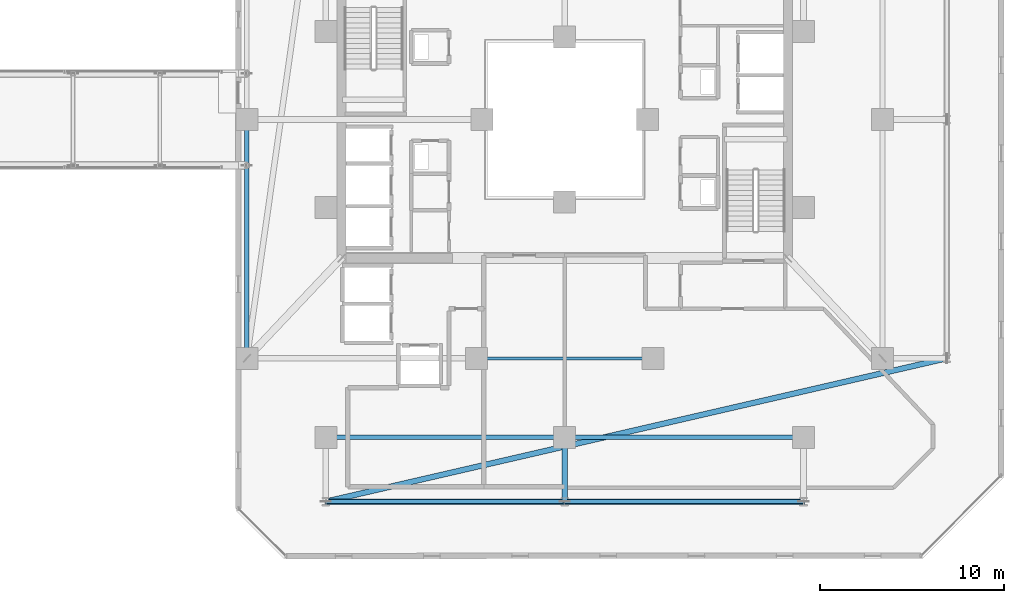
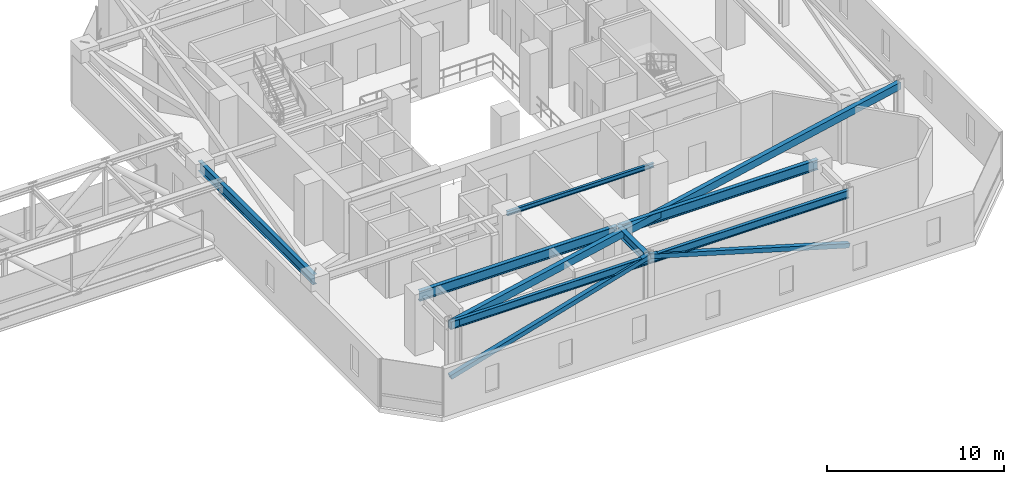
# One storey, part 18 of 45: 8 beams, 2 members.
"""IFC4 building model written with IfcOpenShell, lengths in metres."""

from ifc_helpers import new_model, si_unit, direction, frame, origin, origin_2d, place, context, subcontext, project, spatial, hollow_rectangle, i_section, extrude, material, material_profile, profile_set, type_object, element, save


model = new_model("IFC4")

# Units and contexts
model_context = context("Model", 3, precision=1e-05, world=origin(), true_north=direction((0.0, 1.0)))
body_context = subcontext(model_context, "Body", "Model", "MODEL_VIEW")
ifc_project = project(units=[si_unit("LENGTHUNIT", "METRE"), si_unit("AREAUNIT", "SQUARE_METRE"), si_unit("VOLUMEUNIT", "CUBIC_METRE"), si_unit("PLANEANGLEUNIT", "RADIAN"), si_unit("MASSUNIT", "GRAM", prefix="KILO")], contexts=[model_context])

# Site, building, storey
site_placement = place(None, origin())
site = spatial("IfcSite", under=ifc_project, at=site_placement, CompositionType="ELEMENT")
building_placement = place(site_placement, origin())
building = spatial("IfcBuilding", under=site, at=building_placement, Name="Thornwick Lancets Civic Towers", CompositionType="ELEMENT")
storey_placement = place(building_placement, frame((0.0, 0.0, 141.300048828125)))
storey = spatial("IfcBuildingStorey", under=building, at=storey_placement, Name="L37", CompositionType="ELEMENT", Elevation=141.300048828125)

# Beams
ifc_material_1 = material(Name="Steel S355JR", Category="steel")
ifc_material_profile_1 = material_profile(ifc_material_1, i_section(OverallWidth=0.2119140625, OverallDepth=0.54443359375, WebThickness=0.0126953125, FlangeThickness=0.021240234375, FilletRadius=0.0126953125, at=origin_2d()), Name="UKB 533x210x122")
ifc_profile_set_1 = profile_set([ifc_material_profile_1], Name="Steel S355JR")
beam_type_1 = type_object("IfcBeamType", Name="BM_EDGE_533_122", PredefinedType="SPANDREL", material=ifc_profile_set_1)
beam_1_placement = place(storey_placement, frame((101.5, 6.199951171875, 3.687744140625), z_axis=(-1.0, 0.0, 0.0), x_axis=(0.0, -1.0, 0.0)))
element("IfcBeam", 1, at=beam_1_placement, inside=storey, type_object=beam_type_1, Name="BM-EDGE-L37-B-S3-1", PredefinedType="SPANDREL", context=body_context, shape_type="SweptSolid", body=[
    extrude(i_section(OverallWidth=0.2119140625, OverallDepth=0.54443359375, WebThickness=0.0126953125, FlangeThickness=0.021240234375, FilletRadius=0.0126953125, at=origin_2d()), origin(), (0.0, 0.0, 1.0), 13.0),
])
beam_2_placement = place(storey_placement, frame((88.419921875, 6.199951171875, 3.687744140625), z_axis=(-1.0, 0.0, 0.0), x_axis=(0.0, -1.0, 0.0)))
element("IfcBeam", 2, at=beam_2_placement, inside=storey, type_object=beam_type_1, Name="BM-EDGE-L37-B-S3-2", PredefinedType="SPANDREL", context=body_context, shape_type="SweptSolid", body=[
    extrude(i_section(OverallWidth=0.2119140625, OverallDepth=0.54443359375, WebThickness=0.0126953125, FlangeThickness=0.021240234375, FilletRadius=0.0126953125, at=origin_2d()), origin(), (0.0, 0.0, 1.0), 12.919921875),
])
ifc_material_profile_2 = material_profile(ifc_material_1, i_section(OverallWidth=0.30712890625, OverallDepth=0.6201171875, WebThickness=0.01416015625, FlangeThickness=0.023681640625, FilletRadius=0.0166015625, at=origin_2d()), Name="UKB 610x305x179")
ifc_profile_set_2 = profile_set([ifc_material_profile_2], Name="Steel S355JR")
beam_type_2 = type_object("IfcBeamType", Name="BM_GIRD_610_179", PredefinedType="BEAM", material=ifc_profile_set_2)
beam_3_placement = place(storey_placement, frame((88.5, 9.699951171875, 3.64990234375), z_axis=(0.0, -1.0, 0.0), x_axis=(1.0, 0.0, 0.0)))
element("IfcBeam", 3, at=beam_3_placement, inside=storey, type_object=beam_type_2, Name="BM-RAD-L37-B11", PredefinedType="BEAM", context=body_context, shape_type="SweptSolid", body=[
    extrude(i_section(OverallWidth=0.30712890625, OverallDepth=0.6201171875, WebThickness=0.01416015625, FlangeThickness=0.023681640625, FilletRadius=0.0166015625, at=origin_2d()), origin(), (0.0, 0.0, 1.0), 3.5),
])
ifc_material_profile_3 = material_profile(ifc_material_1, i_section(OverallWidth=0.255859375, OverallDepth=0.69287109375, WebThickness=0.014404296875, FlangeThickness=0.023681640625, FilletRadius=0.01513671875, at=origin_2d()), Name="UKB 686x254x170")
ifc_profile_set_3 = profile_set([ifc_material_profile_3], Name="Steel S355JR")
beam_type_3 = type_object("IfcBeamType", Name="BM_GIRD_686_170", PredefinedType="BEAM", material=ifc_profile_set_3)
for number, where, z_axis, x_axis, name in (
    (4, (71.199951171875, 14.0, 3.613525390625), (0.0, 1.0, 0.0), (-1.0, 0.0, 0.0), "BM-SPINE-L37-B-6-7"),
    (5, (101.5, 9.699951171875, 3.613525390625), (-1.0, 0.0, 0.0), (0.0, -1.0, 0.0), "BM-SPINE-L37-B-9-10"),
):
    element("IfcBeam", number, at=place(storey_placement, frame(where, z_axis=z_axis, x_axis=x_axis)), inside=storey, type_object=beam_type_3, Name=name, PredefinedType="BEAM", context=body_context, shape_type="SweptSolid", body=[
        extrude(i_section(OverallWidth=0.255859375, OverallDepth=0.69287109375, WebThickness=0.014404296875, FlangeThickness=0.023681640625, FilletRadius=0.01513671875, at=origin_2d()), origin(), (0.0, 0.0, 1.0), 13.0),
    ])
beam_4_placement = place(storey_placement, frame((88.419921875, 9.699951171875, 3.613525390625), z_axis=(-1.0, 0.0, 0.0), x_axis=(0.0, -1.0, 0.0)))
element("IfcBeam", 6, at=beam_4_placement, inside=storey, type_object=beam_type_3, Name="BM-SPINE-L37-B-10-11", PredefinedType="BEAM", context=body_context, shape_type="SweptSolid", body=[
    extrude(i_section(OverallWidth=0.255859375, OverallDepth=0.69287109375, WebThickness=0.014404296875, FlangeThickness=0.023681640625, FilletRadius=0.01513671875, at=origin_2d()), origin(), (0.0, 0.0, 1.0), 12.919921875),
])
ifc_material_profile_4 = material_profile(ifc_material_1, i_section(OverallWidth=0.1669921875, OverallDepth=0.310302734375, WebThickness=0.0078125, FlangeThickness=0.013671875, FilletRadius=0.0087890625, at=origin_2d()), Name="UKB 305x165x54")
ifc_profile_set_4 = profile_set([ifc_material_profile_4], Name="Steel S355JR")
beam_type_4 = type_object("IfcBeamType", Name="BM_LINTEL_305_54", PredefinedType="LINTEL", material=ifc_profile_set_4)
beam_5_placement = place(storey_placement, frame((93.300048828125, 14.0, 3.8046875), z_axis=(-1.0, 0.0, 0.0), x_axis=(0.0, -1.0, 0.0)))
element("IfcBeam", 7, at=beam_5_placement, inside=storey, type_object=beam_type_4, Name="BM-INSP-L37-B-0-2", PredefinedType="LINTEL", context=body_context, shape_type="SweptSolid", body=[
    extrude(i_section(OverallWidth=0.1669921875, OverallDepth=0.310302734375, WebThickness=0.0078125, FlangeThickness=0.013671875, FilletRadius=0.0087890625, at=origin_2d()), origin(), (0.0, 0.0, 1.0), 9.60009765625),
])
ifc_material_2 = material(Name="Steel S460M", Category="steel")
ifc_material_profile_5 = material_profile(ifc_material_2, hollow_rectangle(XDim=0.300048828125, YDim=0.5, WallThickness=0.02001953125, at=origin_2d()), Name="RHS 500x300x20")
ifc_profile_set_5 = profile_set([ifc_material_profile_5], Name="Steel S460M")
beam_type_5 = type_object("IfcBeamType", Name="BM_RING_RHS500", PredefinedType="BEAM", material=ifc_profile_set_5)
beam_6_placement = place(storey_placement, frame((75.5, 6.199951171875, 3.7099609375), z_axis=(0.974390958454, 0.224860534737, 0.0), x_axis=(-0.224860534737, 0.974390958454, 0.0)))
element("IfcBeam", 8, at=beam_6_placement, inside=storey, type_object=beam_type_5, Name="BM-CHAMF-L37-B-C3", PredefinedType="BEAM", context=body_context, shape_type="SweptSolid", body=[
    extrude(hollow_rectangle(XDim=0.300048828125, YDim=0.5, WallThickness=0.02001953125, at=origin_2d()), origin(), (0.0, 0.0, 1.0), 34.6884765625),
])

# Members
ifc_material_profile_6 = material_profile(ifc_material_2, hollow_rectangle(XDim=0.300048828125, YDim=0.300048828125, WallThickness=0.01611328125, at=origin_2d()), Name="SHS 300x300x16")
ifc_profile_set_6 = profile_set([ifc_material_profile_6], Name="Steel S460M")
member_type = type_object("IfcMemberType", Name="MEM_BELT_SHS300", PredefinedType="BRACE", material=ifc_profile_set_6)
for number, where, z_axis, x_axis, name in (
    (9, (101.5, 6.199951171875, 0.14990234375), (-0.959634246783, 0.0, 0.281250977601), (0.0, -1.0, 0.0), "L37 Belt Truss Diagonal B-S3-1"),
    (10, (75.5, 6.199951171875, 0.14990234375), (0.959634246783, 0.0, 0.281250977601), (0.0, 1.0, 0.0), "L37 Belt Truss Diagonal B-S3-2"),
):
    element("IfcMember", number, at=place(storey_placement, frame(where, z_axis=z_axis, x_axis=x_axis)), inside=storey, type_object=member_type, Name=name, PredefinedType="BRACE", context=body_context, shape_type="SweptSolid", body=[
        extrude(hollow_rectangle(XDim=0.300048828125, YDim=0.300048828125, WallThickness=0.01611328125, at=origin_2d()), origin(), (0.0, 0.0, 1.0), 13.546875),
    ])

save(model, "model.ifc")
